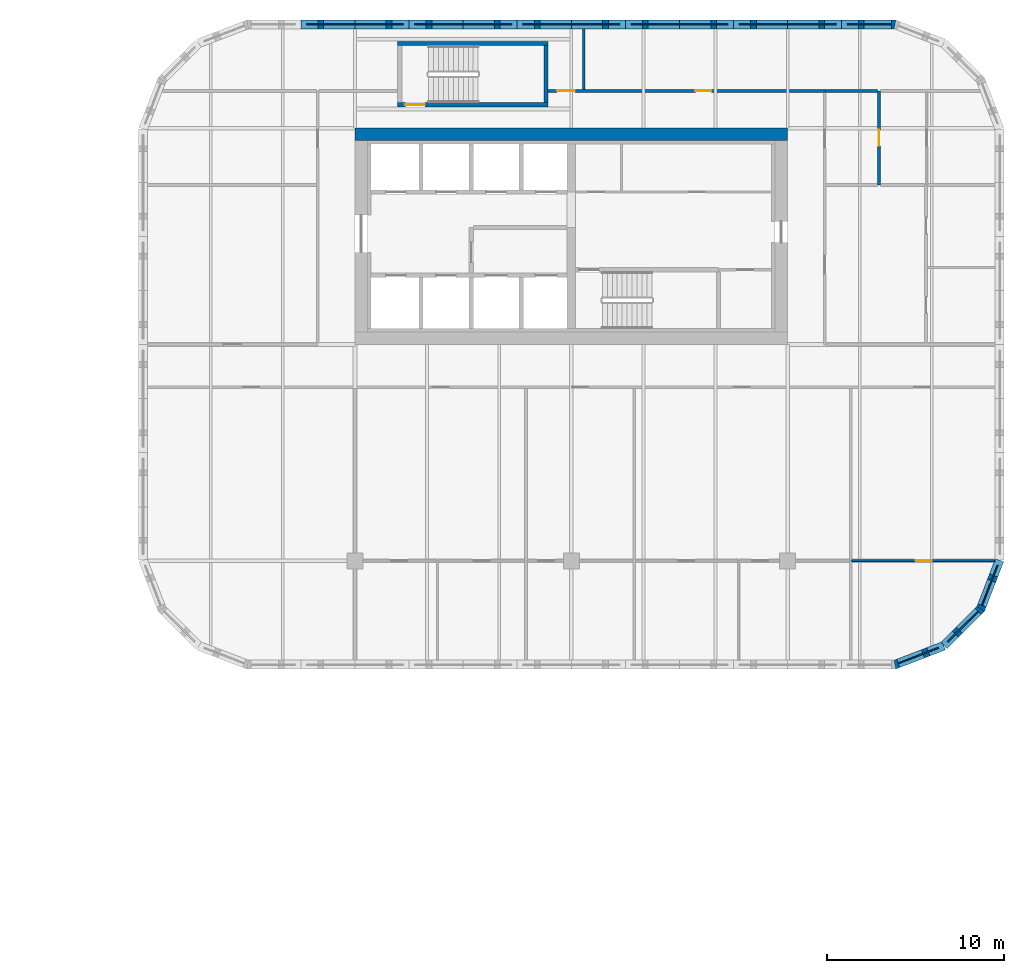
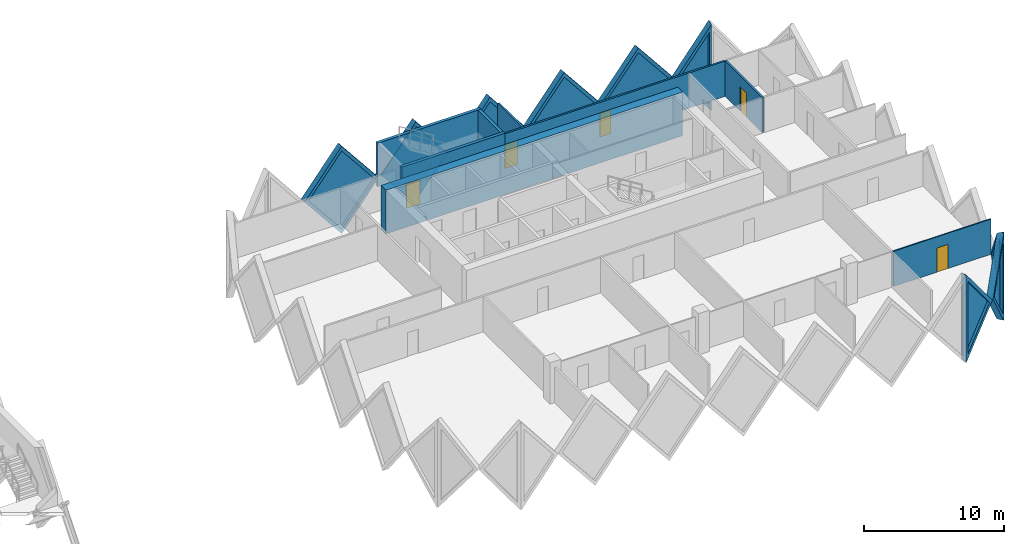
# One storey, part 14 of 18: 18 walls, 9 plates, 5 doors, 14 openings.
"""IFC4 building model written with IfcOpenShell, lengths in metres."""

from ifc_helpers import new_model, si_unit, direction, frame, frame_2d, origin, place, context, subcontext, project, spatial, polyline, rectangle, outline, extrude, faceted_brep, source, transform, mapped, material, layer, layer_set, type_object, element, fill, save


model = new_model("IFC4")

# Units and contexts
model_context = context("Model", 3, precision=1e-05, world=origin(), true_north=direction((0.0, 1.0)))
body_context = subcontext(model_context, "Body", "Model", "MODEL_VIEW")
ifc_project = project(units=[si_unit("LENGTHUNIT", "METRE"), si_unit("AREAUNIT", "SQUARE_METRE"), si_unit("VOLUMEUNIT", "CUBIC_METRE"), si_unit("PLANEANGLEUNIT", "RADIAN"), si_unit("MASSUNIT", "GRAM", prefix="KILO")], contexts=[model_context])

# Site, building, storey
site_placement = place(None, origin())
site = spatial("IfcSite", under=ifc_project, at=site_placement, CompositionType="ELEMENT")
building_placement = place(site_placement, origin())
building = spatial("IfcBuilding", under=site, at=building_placement, Name="Tessera Gate Towers", CompositionType="ELEMENT")
storey_placement = place(building_placement, frame((0.0, 0.0, 56.199951171875)))
storey = spatial("IfcBuildingStorey", under=building, at=storey_placement, Name="L13", CompositionType="ELEMENT", Elevation=56.199951171875)

# Wall, opening, door
ifc_material_1 = material(Name="Concrete C40/50", Category="concrete")
ifc_layer_1 = layer(ifc_material_1, 0.25)
ifc_layer_set_1 = layer_set([ifc_layer_1], Name="CORE ENCLOSURE WALL 250")
wall_type_1 = type_object("IfcWallType", Name="CORE ENCLOSURE WALL 250", PredefinedType="SOLIDWALL", material=ifc_layer_set_1)
wall_1_placement = place(storey_placement, frame((108.5, 50.125, 0.0), z_axis=(0.0, 0.0, 1.0), x_axis=(-1.0, 0.0, 0.0)))
wall_1 = element("IfcWall", 1, at=wall_1_placement, inside=storey, type_object=wall_type_1, Name="L13 ST7 enclosure wall", PredefinedType="SOLIDWALL", context=body_context, shape_type="SweptSolid", body=[
    extrude(rectangle(XDim=8.5, YDim=0.25, at=frame_2d((4.25, 0.0))), origin(), (0.0, 0.0, 1.0), 3.800048828125),
])
shared_shape_1 = source(origin(), body_context, "Body", "SweptSolid", [
    extrude(rectangle(XDim=1.10009765625, YDim=2.10009765625, at=frame_2d((0.550048828125, 1.050048828125))), frame((0.0, 0.135009765625, 0.0), z_axis=(0.0, -1.0, 0.0), x_axis=(1.0, 0.0, 0.0)), (0.0, 0.0, 1.0), 0.27001953125),
])
opening_1_placement = place(wall_1_placement, frame((6.949951171875, 0.0, 0.0)))
opening_1 = element("IfcOpeningElement", 2, at=opening_1_placement, cuts=wall_1, Name="Opening SD-ST7-1", PredefinedType="OPENING", context=body_context, shape_type="MappedRepresentation", body=[
    mapped(shared_shape_1, transform((0.0, 0.0, 0.0), scale=1.0)),
])
ifc_material_2 = material(Name="Hollow steel fire door", Category="steel")
door_type_1 = type_object("IfcDoorType", Name="CORE DOOR SD1100 1100x2100", OperationType="NOTDEFINED", PredefinedType="DOOR", material=ifc_material_2)
shared_shape_2 = source(origin(), body_context, "Body", "SweptSolid", [
    extrude(rectangle(XDim=1.10009765625, YDim=2.10009765625, at=frame_2d((0.550048828125, 1.050048828125))), frame((0.0, 0.02490234375, 0.0), z_axis=(0.0, -1.0, 0.0), x_axis=(1.0, 0.0, 0.0)), (0.0, 0.0, 1.0), 0.050048828125),
])
door_1_placement = place(opening_1_placement, origin())
door_1 = element("IfcDoor", 3, at=door_1_placement, inside=storey, type_object=door_type_1, Name="Stair door", OperationType="SINGLE_SWING_RIGHT", OverallHeight=2.10009765625, OverallWidth=1.10009765625, PredefinedType="DOOR", context=body_context, shape_type="MappedRepresentation", body=[
    mapped(shared_shape_2, transform((0.0, 0.0, 0.0), scale=1.0)),
])
fill(opening_1, door_1)

# Walls
wall_2_placement = place(storey_placement, frame((100.0, 53.574951171875, 0.0), z_axis=(0.0, 0.0, 1.0), x_axis=(1.0, 0.0, 0.0)))
element("IfcWall", 4, at=wall_2_placement, inside=storey, type_object=wall_type_1, Name="L13 ST7 enclosure wall", PredefinedType="SOLIDWALL", context=body_context, shape_type="SweptSolid", body=[
    extrude(rectangle(XDim=8.5, YDim=0.25, at=frame_2d((4.25, 0.0))), origin(), (0.0, 0.0, 1.0), 3.800048828125),
])
wall_3_placement = place(storey_placement, frame((108.375, 53.449951171875, 0.0), z_axis=(0.0, 0.0, 1.0), x_axis=(0.0, -1.0, 0.0)))
element("IfcWall", 5, at=wall_3_placement, inside=storey, type_object=wall_type_1, Name="L13 ST7 enclosure wall", PredefinedType="SOLIDWALL", context=body_context, shape_type="SweptSolid", body=[
    extrude(rectangle(XDim=3.199951171875, YDim=0.25, at=frame_2d((1.60009765625, 0.0))), origin(), (0.0, 0.0, 1.0), 3.800048828125),
])
ifc_material_3 = material(Name="Concrete C60/75", Category="concrete")
ifc_layer_2 = layer(ifc_material_3, 0.699951171875)
ifc_layer_set_2 = layer_set([ifc_layer_2], Name="CORE SHEAR WALL 700 C60/75")
wall_type_2 = type_object("IfcWallType", Name="CORE SHEAR WALL 700 C60/75", PredefinedType="SHEAR", material=ifc_layer_set_2)
wall_4_placement = place(storey_placement, frame((97.60009765625, 48.449951171875, 0.0), z_axis=(0.0, 0.0, 1.0), x_axis=(1.0, 0.0, 0.0)))
element("IfcWall", 6, at=wall_4_placement, inside=storey, type_object=wall_type_2, Name="Core wall N L13", PredefinedType="SHEAR", context=body_context, shape_type="SweptSolid", body=[
    extrude(rectangle(XDim=24.39990234375, YDim=0.699951171875, at=frame_2d((12.199951171875, 0.0))), origin(), (0.0, 0.0, 1.0), 3.800048828125),
])

# Wall, openings, doors
ifc_material_4 = material(Name="Gypsum board on steel studs, mineral wool", Category="steel")
ifc_layer_3 = layer(ifc_material_4, 0.14990234375)
ifc_layer_set_3 = layer_set([ifc_layer_3], Name="CORRIDOR WALL 150")
wall_type_3 = type_object("IfcWallType", Name="CORRIDOR WALL 150", PredefinedType="PARTITIONING", material=ifc_layer_set_3)
wall_5_placement = place(storey_placement, frame((108.5, 50.89990234375, 0.0), z_axis=(0.0, 0.0, 1.0), x_axis=(1.0, 0.0, 0.0)))
wall_5 = element("IfcWall", 7, at=wall_5_placement, inside=storey, type_object=wall_type_3, Name="T2-L13-PW-032", PredefinedType="PARTITIONING", context=body_context, shape_type="SweptSolid", body=[
    extrude(rectangle(XDim=15.60009765625, YDim=0.14990234375, at=frame_2d((7.800048828125, 0.0))), origin(), (0.0, 0.0, 1.0), 3.067138671875),
])
shared_shape_3 = source(origin(), body_context, "Body", "SweptSolid", [
    extrude(rectangle(XDim=1.0, YDim=2.10009765625, at=frame_2d((0.5, 1.050048828125))), frame((0.0, 0.0849609375, 0.0), z_axis=(0.0, -1.0, 0.0), x_axis=(1.0, 0.0, 0.0)), (0.0, 0.0, 1.0), 0.169921875),
])
opening_2_placement = place(wall_5_placement, frame((0.5, 0.0, 0.0)))
opening_2 = element("IfcOpeningElement", 8, at=opening_2_placement, cuts=wall_5, Name="Opening D2100FD60-B06-03", PredefinedType="OPENING", context=body_context, shape_type="MappedRepresentation", body=[
    mapped(shared_shape_3, transform((0.0, 0.0, 0.0), scale=1.0)),
])
shared_shape_4 = source(origin(), body_context, "Body", "SweptSolid", [
    extrude(rectangle(XDim=0.89990234375, YDim=2.10009765625, at=frame_2d((0.449951171875, 1.050048828125))), frame((0.0, 0.0849609375, 0.0), z_axis=(0.0, -1.0, 0.0), x_axis=(1.0, 0.0, 0.0)), (0.0, 0.0, 1.0), 0.169921875),
])
opening_3_placement = place(wall_5_placement, frame((8.300048828125, 0.0, 0.0)))
opening_3 = element("IfcOpeningElement", 9, at=opening_3_placement, cuts=wall_5, Name="Opening D890FD60-B06-06", PredefinedType="OPENING", context=body_context, shape_type="MappedRepresentation", body=[
    mapped(shared_shape_4, transform((0.0, 0.0, 0.0), scale=1.0)),
])
ifc_material_5 = material(Name="Timber door leaf in steel frame", Category="steel")
door_type_2 = type_object("IfcDoorType", Name="CORRIDOR DOOR 900 FD60", OperationType="NOTDEFINED", PredefinedType="DOOR", material=ifc_material_5)
shared_shape_5 = source(origin(), body_context, "Body", "SweptSolid", [
    extrude(rectangle(XDim=0.89990234375, YDim=2.10009765625, at=frame_2d((0.449951171875, 1.050048828125))), frame((0.0, 0.02490234375, 0.0), z_axis=(0.0, -1.0, 0.0), x_axis=(1.0, 0.0, 0.0)), (0.0, 0.0, 1.0), 0.050048828125),
])
door_2_placement = place(opening_3_placement, origin())
door_2 = element("IfcDoor", 10, at=door_2_placement, inside=storey, type_object=door_type_2, Name="T2-L13-PD-019", OperationType="SINGLE_SWING_LEFT", OverallHeight=2.10009765625, OverallWidth=0.89990234375, PredefinedType="DOOR", context=body_context, shape_type="MappedRepresentation", body=[
    mapped(shared_shape_5, transform((0.0, 0.0, 0.0), scale=1.0)),
])
fill(opening_3, door_2)
ifc_material_6 = material(Name="Timber door leaf in steel frame", Category="steel")
door_type_3 = type_object("IfcDoorType", Name="TENANCY ENTRANCE DOOR 1000 FD60", OperationType="NOTDEFINED", PredefinedType="DOOR", material=ifc_material_6)
shared_shape_6 = source(origin(), body_context, "Body", "SweptSolid", [
    extrude(rectangle(XDim=1.0, YDim=2.10009765625, at=frame_2d((0.5, 1.050048828125))), frame((0.0, 0.02490234375, 0.0), z_axis=(0.0, -1.0, 0.0), x_axis=(1.0, 0.0, 0.0)), (0.0, 0.0, 1.0), 0.050048828125),
])
door_3_placement = place(opening_2_placement, origin())
door_3 = element("IfcDoor", 11, at=door_3_placement, inside=storey, type_object=door_type_3, Name="T2-L13-PD-013", OperationType="SINGLE_SWING_RIGHT", OverallHeight=2.10009765625, OverallWidth=1.0, PredefinedType="DOOR", context=body_context, shape_type="MappedRepresentation", body=[
    mapped(shared_shape_6, transform((0.0, 0.0, 0.0), scale=1.0)),
])
fill(opening_2, door_3)

# Wall, opening, door
ifc_material_7 = material(Name="Glass", Category="glass")
ifc_layer_4 = layer(ifc_material_7, 0.10009765625)
ifc_layer_set_4 = layer_set([ifc_layer_4], Name="GLAZED PARTITION 100")
wall_type_4 = type_object("IfcWallType", Name="GLAZED PARTITION 100", PredefinedType="PARTITIONING", material=ifc_layer_set_4)
wall_6_placement = place(storey_placement, frame((133.669921875, 24.4150390625, 0.0), z_axis=(0.0, 0.0, 1.0), x_axis=(-1.0, 0.0, 0.0)))
wall_6 = element("IfcWall", 12, at=wall_6_placement, inside=storey, type_object=wall_type_4, Name="T2-L13-PW-015", PredefinedType="PARTITIONING", context=body_context, shape_type="SweptSolid", body=[
    extrude(rectangle(XDim=8.0439453125, YDim=0.10009765625, at=frame_2d((4.02197265625, 0.0))), origin(), (0.0, 0.0, 1.0), 3.067138671875),
])
shared_shape_7 = source(origin(), body_context, "Body", "SweptSolid", [
    extrude(rectangle(XDim=0.89990234375, YDim=2.10009765625, at=frame_2d((0.449951171875, 1.050048828125))), frame((0.0, 0.06005859375, 0.0), z_axis=(0.0, -1.0, 0.0), x_axis=(1.0, 0.0, 0.0)), (0.0, 0.0, 1.0), 0.1201171875),
])
opening_4_placement = place(wall_6_placement, frame((3.5439453125, 0.0, 0.0)))
opening_4 = element("IfcOpeningElement", 13, at=opening_4_placement, cuts=wall_6, Name="Opening D690-B06-06", PredefinedType="OPENING", context=body_context, shape_type="MappedRepresentation", body=[
    mapped(shared_shape_7, transform((0.0, 0.0, 0.0), scale=1.0)),
])
ifc_material_8 = material(Name="Glass in aluminium frame", Category="aluminium")
door_type_4 = type_object("IfcDoorType", Name="GLAZED DOOR 900 NOT RATED", OperationType="NOTDEFINED", PredefinedType="DOOR", material=ifc_material_8)
door_4_placement = place(opening_4_placement, origin())
door_4 = element("IfcDoor", 14, at=door_4_placement, inside=storey, type_object=door_type_4, Name="T2-L13-PD-014", OperationType="SINGLE_SWING_RIGHT", OverallHeight=2.10009765625, OverallWidth=0.89990234375, PredefinedType="DOOR", context=body_context, shape_type="MappedRepresentation", body=[
    mapped(shared_shape_5, transform((0.0, 0.0, 0.0), scale=1.0)),
])
fill(opening_4, door_4)

ifc_material_9 = material(Name="Gypsum board on steel studs, mineral wool", Category="steel")
ifc_layer_5 = layer(ifc_material_9, 0.14990234375)
ifc_layer_set_5 = layer_set([ifc_layer_5], Name="TENANCY WALL 150")
wall_type_5 = type_object("IfcWallType", Name="TENANCY WALL 150", PredefinedType="PARTITIONING", material=ifc_layer_set_5)
wall_7_placement = place(storey_placement, frame((127.14990234375, 50.89990234375, 0.0), z_axis=(0.0, 0.0, 1.0), x_axis=(0.0, -1.0, 0.0)))
wall_7 = element("IfcWall", 15, at=wall_7_placement, inside=storey, type_object=wall_type_5, Name="T2-L13-PW-026", PredefinedType="PARTITIONING", context=body_context, shape_type="SweptSolid", body=[
    extrude(rectangle(XDim=5.2998046875, YDim=0.14990234375, at=frame_2d((2.64990234375, 0.0))), origin(), (0.0, 0.0, 1.0), 3.067138671875),
])
opening_5_placement = place(wall_7_placement, frame((2.199951171875, 0.0, 0.0)))
opening_5 = element("IfcOpeningElement", 16, at=opening_5_placement, cuts=wall_7, Name="Opening D190-B06-04", PredefinedType="OPENING", context=body_context, shape_type="MappedRepresentation", body=[
    mapped(shared_shape_4, transform((0.0, 0.0, 0.0), scale=1.0)),
])
ifc_material_10 = material(Name="Timber door leaf in steel frame", Category="steel")
door_type_5 = type_object("IfcDoorType", Name="INTERNAL DOOR 900 NOT RATED", OperationType="NOTDEFINED", PredefinedType="DOOR", material=ifc_material_10)
door_5_placement = place(opening_5_placement, origin())
door_5 = element("IfcDoor", 17, at=door_5_placement, inside=storey, type_object=door_type_5, Name="T2-L13-PD-010", OperationType="SINGLE_SWING_RIGHT", OverallHeight=2.10009765625, OverallWidth=0.89990234375, PredefinedType="DOOR", context=body_context, shape_type="MappedRepresentation", body=[
    mapped(shared_shape_5, transform((0.0, 0.0, 0.0), scale=1.0)),
])
fill(opening_5, door_5)

# Walls
wall_8_placement = place(storey_placement, frame((124.10107421875, 50.89990234375, 0.0), z_axis=(0.0, 0.0, 1.0), x_axis=(1.0, 0.0, 0.0)))
element("IfcWall", 18, at=wall_8_placement, inside=storey, type_object=wall_type_5, Name="T2-L13-PW-033", PredefinedType="PARTITIONING", context=body_context, shape_type="SweptSolid", body=[
    extrude(rectangle(XDim=2.972900390625, YDim=0.14990234375, at=frame_2d((1.486328125, 0.0))), origin(), (0.0, 0.0, 1.0), 3.067138671875),
])
wall_9_placement = place(storey_placement, frame((110.5, 50.97607421875, 0.0), z_axis=(0.0, 0.0, 1.0), x_axis=(0.0, 1.0, 0.0)))
element("IfcWall", 19, at=wall_9_placement, inside=storey, type_object=wall_type_5, Name="T2-L13-PW-035", PredefinedType="PARTITIONING", context=body_context, shape_type="SweptSolid", body=[
    extrude(rectangle(XDim=3.423828125, YDim=0.14990234375, at=frame_2d((1.7119140625, 0.0))), origin(), (0.0, 0.0, 1.0), 3.067138671875),
])

# Wall, opening, plate
ifc_material_11 = material(Name="Precast concrete C60/75 white", Category="concrete")
ifc_layer_6 = layer(ifc_material_11, 0.5)
ifc_layer_set_6 = layer_set([ifc_layer_6], Name="TS1 tessera")
wall_type_6 = type_object("IfcWallType", Name="TS1 tessera", PredefinedType="SOLIDWALL", material=ifc_layer_set_6)
shared_shape_8 = source(origin(), body_context, "Body", "Brep", [
    faceted_brep([(3.050048828125, -0.25, 0.0), (6.099853515625, -0.25, 3.7998046875), (6.099853515625, -0.25, 3.80029296875), (3.050048828125, -0.25, 7.60009765625), (0.0, -0.25, 3.800048828125), (0.0, 0.25, 3.800048828125), (3.050048828125, 0.25, 7.60009765625), (6.099853515625, 0.25, 3.80029296875), (6.099853515625, 0.25, 3.7998046875), (3.050048828125, 0.25, 0.0)], [[[0, 1, 2, 3, 4]], [[5, 6, 7, 8, 9]], [[9, 8, 1, 0]], [[7, 6, 3, 2]], [[6, 5, 4, 3]], [[5, 9, 0, 4]], [[1, 8, 7, 2]]]),
])
wall_10_placement = place(storey_placement, frame((118.949951171875, 54.64990234375, -3.800048828125), z_axis=(0.0, 0.0, 1.0), x_axis=(-1.0, 0.0, 0.0)))
wall_10 = element("IfcWall", 20, at=wall_10_placement, inside=storey, type_object=wall_type_6, Name="Precast tessera T2 TS1-0154", PredefinedType="SOLIDWALL", context=body_context, shape_type="MappedRepresentation", body=[
    mapped(shared_shape_8, transform((0.0, 0.0, 0.0), scale=1.0)),
])
shared_shape_9 = source(origin(), body_context, "Body", "SweptSolid", [
    extrude(outline(polyline([(3.050048828125, 0.3994140625), (5.779541015625, 3.800048828125), (3.050048828125, 7.20068359375), (0.320556640625, 3.800048828125), (3.050048828125, 0.3994140625)])), frame((0.0, 0.260009765625, 0.0), z_axis=(0.0, -1.0, 0.0), x_axis=(1.0, 0.0, 0.0)), (0.0, 0.0, 1.0), 0.52001953125),
])
opening_6_placement = place(wall_10_placement, origin())
opening_6 = element("IfcOpeningElement", 21, at=opening_6_placement, cuts=wall_10, Name="Opening T2-PL2-0292", PredefinedType="OPENING", context=body_context, shape_type="MappedRepresentation", body=[
    mapped(shared_shape_9, transform((0.0, 0.0, 0.0), scale=1.0)),
])
ifc_material_12 = material(Name="Low-e laminated glass", Category="glass")
ifc_layer_7 = layer(ifc_material_12, 0.06005859375)
ifc_layer_set_7 = layer_set([ifc_layer_7], Name="PL2 rhombic pane")
plate_type = type_object("IfcPlateType", Name="PL2 rhombic pane", PredefinedType="SHEET", material=ifc_layer_set_7)
shared_shape_10 = source(origin(), body_context, "Body", "SweptSolid", [
    extrude(outline(polyline([(3.050048828125, 0.3994140625), (5.779541015625, 3.800048828125), (3.050048828125, 7.20068359375), (0.320556640625, 3.800048828125), (3.050048828125, 0.3994140625)])), frame((0.0, 0.030029296875, 0.0), z_axis=(0.0, -1.0, 0.0), x_axis=(1.0, 0.0, 0.0)), (0.0, 0.0, 1.0), 0.06005859375),
])
plate_1_placement = place(opening_6_placement, origin())
plate_1 = element("IfcPlate", 22, at=plate_1_placement, inside=storey, type_object=plate_type, Name="Glass pane T2 PL2-0292", PredefinedType="SHEET", context=body_context, shape_type="MappedRepresentation", body=[
    mapped(shared_shape_10, transform((0.0, 0.0, 0.0), scale=1.0)),
])
fill(opening_6, plate_1)

wall_11_placement = place(storey_placement, frame((100.64990234375, 54.64990234375, -3.800048828125), z_axis=(0.0, 0.0, 1.0), x_axis=(-1.0, 0.0, 0.0)))
wall_11 = element("IfcWall", 23, at=wall_11_placement, inside=storey, type_object=wall_type_6, Name="Precast tessera T2 TS1-0157", PredefinedType="SOLIDWALL", context=body_context, shape_type="MappedRepresentation", body=[
    mapped(shared_shape_8, transform((0.0, 0.0, 0.0), scale=1.0)),
])
opening_7_placement = place(wall_11_placement, origin())
opening_7 = element("IfcOpeningElement", 24, at=opening_7_placement, cuts=wall_11, Name="Opening T2-PL2-0295", PredefinedType="OPENING", context=body_context, shape_type="MappedRepresentation", body=[
    mapped(shared_shape_9, transform((0.0, 0.0, 0.0), scale=1.0)),
])
plate_2_placement = place(opening_7_placement, origin())
plate_2 = element("IfcPlate", 25, at=plate_2_placement, inside=storey, type_object=plate_type, Name="Glass pane T2 PL2-0295", PredefinedType="SHEET", context=body_context, shape_type="MappedRepresentation", body=[
    mapped(shared_shape_10, transform((0.0, 0.0, 0.0), scale=1.0)),
])
fill(opening_7, plate_2)

shared_shape_11 = source(origin(), body_context, "Body", "SweptSolid", [
    extrude(outline(polyline([(3.050048828125, 0.0), (6.10009765625, 3.800048828125), (3.050048828125, 7.60009765625), (0.0, 3.800048828125), (3.050048828125, 0.0)])), frame((0.0, 0.25, 0.0), z_axis=(0.0, -1.0, 0.0), x_axis=(1.0, 0.0, 0.0)), (0.0, 0.0, 1.0), 0.5),
])
wall_12_placement = place(storey_placement, frame((125.050048828125, 54.64990234375, -3.800048828125), z_axis=(0.0, 0.0, 1.0), x_axis=(-1.0, 0.0, 0.0)))
wall_12 = element("IfcWall", 26, at=wall_12_placement, inside=storey, type_object=wall_type_6, Name="Precast tessera T2 TS1-0153", PredefinedType="SOLIDWALL", context=body_context, shape_type="MappedRepresentation", body=[
    mapped(shared_shape_11, transform((0.0, 0.0, 0.0), scale=1.0)),
])
opening_8_placement = place(wall_12_placement, origin())
opening_8 = element("IfcOpeningElement", 27, at=opening_8_placement, cuts=wall_12, Name="Opening T2-PL2-0291", PredefinedType="OPENING", context=body_context, shape_type="MappedRepresentation", body=[
    mapped(shared_shape_9, transform((0.0, 0.0, 0.0), scale=1.0)),
])
plate_3_placement = place(opening_8_placement, origin())
plate_3 = element("IfcPlate", 28, at=plate_3_placement, inside=storey, type_object=plate_type, Name="Glass pane T2 PL2-0291", PredefinedType="SHEET", context=body_context, shape_type="MappedRepresentation", body=[
    mapped(shared_shape_10, transform((0.0, 0.0, 0.0), scale=1.0)),
])
fill(opening_8, plate_3)

wall_13_placement = place(storey_placement, frame((112.85009765625, 54.64990234375, -3.800048828125), z_axis=(0.0, 0.0, 1.0), x_axis=(-1.0, 0.0, 0.0)))
wall_13 = element("IfcWall", 29, at=wall_13_placement, inside=storey, type_object=wall_type_6, Name="Precast tessera T2 TS1-0155", PredefinedType="SOLIDWALL", context=body_context, shape_type="MappedRepresentation", body=[
    mapped(shared_shape_11, transform((0.0, 0.0, 0.0), scale=1.0)),
])
opening_9_placement = place(wall_13_placement, origin())
opening_9 = element("IfcOpeningElement", 30, at=opening_9_placement, cuts=wall_13, Name="Opening T2-PL2-0293", PredefinedType="OPENING", context=body_context, shape_type="MappedRepresentation", body=[
    mapped(shared_shape_9, transform((0.0, 0.0, 0.0), scale=1.0)),
])
plate_4_placement = place(opening_9_placement, origin())
plate_4 = element("IfcPlate", 31, at=plate_4_placement, inside=storey, type_object=plate_type, Name="Glass pane T2 PL2-0293", PredefinedType="SHEET", context=body_context, shape_type="MappedRepresentation", body=[
    mapped(shared_shape_10, transform((0.0, 0.0, 0.0), scale=1.0)),
])
fill(opening_9, plate_4)

wall_14_placement = place(storey_placement, frame((106.75, 54.64990234375, -3.800048828125), z_axis=(0.0, 0.0, 1.0), x_axis=(-1.0, 0.0, 0.0)))
wall_14 = element("IfcWall", 32, at=wall_14_placement, inside=storey, type_object=wall_type_6, Name="Precast tessera T2 TS1-0156", PredefinedType="SOLIDWALL", context=body_context, shape_type="MappedRepresentation", body=[
    mapped(shared_shape_11, transform((0.0, 0.0, 0.0), scale=1.0)),
])
opening_10_placement = place(wall_14_placement, origin())
opening_10 = element("IfcOpeningElement", 33, at=opening_10_placement, cuts=wall_14, Name="Opening T2-PL2-0294", PredefinedType="OPENING", context=body_context, shape_type="MappedRepresentation", body=[
    mapped(shared_shape_9, transform((0.0, 0.0, 0.0), scale=1.0)),
])
plate_5_placement = place(opening_10_placement, origin())
plate_5 = element("IfcPlate", 34, at=plate_5_placement, inside=storey, type_object=plate_type, Name="Glass pane T2 PL2-0294", PredefinedType="SHEET", context=body_context, shape_type="MappedRepresentation", body=[
    mapped(shared_shape_10, transform((0.0, 0.0, 0.0), scale=1.0)),
])
fill(opening_10, plate_5)

ifc_material_13 = material(Name="Precast concrete C60/75 white", Category="concrete")
ifc_layer_8 = layer(ifc_material_13, 0.5)
ifc_layer_set_8 = layer_set([ifc_layer_8], Name="TS3 corner tessera")
wall_type_7 = type_object("IfcWallType", Name="TS3 corner tessera", PredefinedType="SOLIDWALL", material=ifc_layer_set_8)
shared_shape_12 = source(origin(), body_context, "Body", "Brep", [
    faceted_brep([(0.046630859375, -0.25, 0.0), (3.050048828125, -0.25, 3.800048828125), (0.046630859375, -0.25, 7.60009765625), (0.0, -0.25, 7.5400390625), (0.0, -0.25, 0.06005859375), (0.09326171875, 0.25, 7.541259765625), (3.050048828125, 0.25, 3.800048828125), (0.09326171875, 0.25, 0.058837890625), (0.046630859375, 0.0, 0.0), (0.046630859375, 0.0, 7.60009765625)], [[[0, 1, 2, 3, 4]], [[5, 6, 7]], [[7, 6, 1, 0, 8]], [[6, 5, 9, 2, 1]], [[3, 2, 9]], [[8, 0, 4]], [[7, 8, 4, 3, 9, 5]]]),
])
wall_15_placement = place(storey_placement, frame((128.10009765625, 54.64990234375, -3.800048828125), z_axis=(0.0, 0.0, 1.0), x_axis=(-1.0, 0.0, 0.0)))
wall_15 = element("IfcWall", 35, at=wall_15_placement, inside=storey, type_object=wall_type_7, Name="Precast corner tessera T2 TS3-0186", PredefinedType="SOLIDWALL", context=body_context, shape_type="MappedRepresentation", body=[
    mapped(shared_shape_12, transform((0.0, 0.0, 0.0), scale=1.0)),
])
shared_shape_13 = source(origin(), body_context, "Body", "SweptSolid", [
    extrude(outline(polyline([(0.24658203125, 0.65625), (2.7314453125, 3.800048828125), (0.24658203125, 6.94384765625), (0.24658203125, 0.65625)])), frame((0.0, 0.260009765625, 0.0), z_axis=(0.0, -1.0, 0.0), x_axis=(1.0, 0.0, 0.0)), (0.0, 0.0, 1.0), 0.52001953125),
])
opening_11_placement = place(wall_15_placement, origin())
opening_11 = element("IfcOpeningElement", 36, at=opening_11_placement, cuts=wall_15, Name="Opening T2-PL2-0290", PredefinedType="OPENING", context=body_context, shape_type="MappedRepresentation", body=[
    mapped(shared_shape_13, transform((0.0, 0.0, 0.0), scale=1.0)),
])
shared_shape_14 = source(origin(), body_context, "Body", "SweptSolid", [
    extrude(outline(polyline([(0.24658203125, 0.65625), (2.7314453125, 3.800048828125), (0.24658203125, 6.94384765625), (0.24658203125, 0.65625)])), frame((0.0, 0.030029296875, 0.0), z_axis=(0.0, -1.0, 0.0), x_axis=(1.0, 0.0, 0.0)), (0.0, 0.0, 1.0), 0.06005859375),
])
plate_6_placement = place(opening_11_placement, origin())
plate_6 = element("IfcPlate", 37, at=plate_6_placement, inside=storey, type_object=plate_type, Name="Glass pane T2 PL2-0290", PredefinedType="SHEET", context=body_context, shape_type="MappedRepresentation", body=[
    mapped(shared_shape_14, transform((0.0, 0.0, 0.0), scale=1.0)),
])
fill(opening_11, plate_6)

shared_shape_15 = source(origin(), body_context, "Body", "Brep", [
    faceted_brep([(0.046630859375, -0.25, 0.0), (2.9970703125, -0.25, 3.800048828125), (0.046630859375, -0.25, 7.60009765625), (0.0, -0.25, 7.541259765625), (0.0, -0.25, 0.058837890625), (0.09326171875, 0.25, 7.5400390625), (2.9443359375, 0.25, 3.8681640625), (2.9443359375, 0.25, 3.73193359375), (0.09326171875, 0.25, 0.06005859375), (2.9970703125, 0.00048828125, 3.800048828125), (0.046630859375, 0.0, 0.0), (0.046630859375, 0.0, 7.60009765625)], [[[0, 1, 2, 3, 4]], [[5, 6, 7, 8]], [[8, 7, 9, 1, 0, 10]], [[6, 5, 11, 2, 1, 9]], [[3, 2, 11]], [[10, 0, 4]], [[8, 10, 4, 3, 11, 5]], [[9, 7, 6]]]),
])
wall_16_placement = place(storey_placement, frame((128.010009765625, 18.533203125, -3.800048828125), z_axis=(0.0, 0.0, 1.0), x_axis=(0.932990326376, 0.359901446078, 0.0)))
wall_16 = element("IfcWall", 38, at=wall_16_placement, inside=storey, type_object=wall_type_7, Name="Precast corner tessera T2 TS3-0180", PredefinedType="SOLIDWALL", context=body_context, shape_type="MappedRepresentation", body=[
    mapped(shared_shape_15, transform((0.0, 0.0, 0.0), scale=1.0)),
])
shared_shape_16 = source(origin(), body_context, "Body", "SweptSolid", [
    extrude(outline(polyline([(0.24658203125, 0.665283203125), (2.6806640625, 3.800048828125), (0.24658203125, 6.934814453125), (0.24658203125, 0.665283203125)])), frame((0.0, 0.260009765625, 0.0), z_axis=(0.0, -1.0, 0.0), x_axis=(1.0, 0.0, 0.0)), (0.0, 0.0, 1.0), 0.52001953125),
])
opening_12_placement = place(wall_16_placement, origin())
opening_12 = element("IfcOpeningElement", 39, at=opening_12_placement, cuts=wall_16, Name="Opening T2-PL2-0280", PredefinedType="OPENING", context=body_context, shape_type="MappedRepresentation", body=[
    mapped(shared_shape_16, transform((0.0, 0.0, 0.0), scale=1.0)),
])
shared_shape_17 = source(origin(), body_context, "Body", "SweptSolid", [
    extrude(outline(polyline([(0.24658203125, 0.665283203125), (2.6806640625, 3.800048828125), (0.24658203125, 6.934814453125), (0.24658203125, 0.665283203125)])), frame((0.0, 0.030029296875, 0.0), z_axis=(0.0, -1.0, 0.0), x_axis=(1.0, 0.0, 0.0)), (0.0, 0.0, 1.0), 0.06005859375),
])
plate_7_placement = place(opening_12_placement, origin())
plate_7 = element("IfcPlate", 40, at=plate_7_placement, inside=storey, type_object=plate_type, Name="Glass pane T2 PL2-0280", PredefinedType="SHEET", context=body_context, shape_type="MappedRepresentation", body=[
    mapped(shared_shape_17, transform((0.0, 0.0, 0.0), scale=1.0)),
])
fill(opening_12, plate_7)

shared_shape_18 = source(origin(), body_context, "Body", "Brep", [
    faceted_brep([(0.052978515625, -0.25, 0.0), (3.00341796875, -0.25, 3.800048828125), (0.052978515625, -0.25, 7.60009765625), (0.0, -0.25, 7.53173828125), (0.0, -0.25, 0.068359375), (0.10595703125, 0.25, 7.531982421875), (2.95703125, 0.25, 3.85986328125), (2.95703125, 0.25, 3.740234375), (0.10595703125, 0.25, 0.068115234375), (3.00341796875, 0.00048828125, 3.800048828125), (0.052978515625, 0.0, 0.0), (0.052978515625, 0.0, 7.60009765625)], [[[0, 1, 2, 3, 4]], [[5, 6, 7, 8]], [[8, 7, 9, 1, 0, 10]], [[6, 5, 11, 2, 1, 9]], [[3, 2, 11]], [[10, 0, 4]], [[8, 10, 4, 3, 11, 5]], [[9, 7, 6]]]),
])
wall_17_placement = place(storey_placement, frame((132.869140625, 21.644287109375, -3.800048828125), z_axis=(0.0, 0.0, 1.0), x_axis=(0.359855894603, 0.933007896601, 0.0)))
wall_17 = element("IfcWall", 41, at=wall_17_placement, inside=storey, type_object=wall_type_7, Name="Precast corner tessera T2 TS3-0182", PredefinedType="SOLIDWALL", context=body_context, shape_type="MappedRepresentation", body=[
    mapped(shared_shape_18, transform((0.0, 0.0, 0.0), scale=1.0)),
])
shared_shape_19 = source(origin(), body_context, "Body", "SweptSolid", [
    extrude(outline(polyline([(0.2529296875, 0.665283203125), (2.68701171875, 3.800048828125), (0.2529296875, 6.934814453125), (0.2529296875, 0.665283203125)])), frame((0.0, 0.260009765625, 0.0), z_axis=(0.0, -1.0, 0.0), x_axis=(1.0, 0.0, 0.0)), (0.0, 0.0, 1.0), 0.52001953125),
])
opening_13_placement = place(wall_17_placement, origin())
opening_13 = element("IfcOpeningElement", 42, at=opening_13_placement, cuts=wall_17, Name="Opening T2-PL2-0282", PredefinedType="OPENING", context=body_context, shape_type="MappedRepresentation", body=[
    mapped(shared_shape_19, transform((0.0, 0.0, 0.0), scale=1.0)),
])
shared_shape_20 = source(origin(), body_context, "Body", "SweptSolid", [
    extrude(outline(polyline([(0.2529296875, 0.665283203125), (2.68701171875, 3.800048828125), (0.2529296875, 6.934814453125), (0.2529296875, 0.665283203125)])), frame((0.0, 0.030029296875, 0.0), z_axis=(0.0, -1.0, 0.0), x_axis=(1.0, 0.0, 0.0)), (0.0, 0.0, 1.0), 0.06005859375),
])
plate_8_placement = place(opening_13_placement, origin())
plate_8 = element("IfcPlate", 43, at=plate_8_placement, inside=storey, type_object=plate_type, Name="Glass pane T2 PL2-0282", PredefinedType="SHEET", context=body_context, shape_type="MappedRepresentation", body=[
    mapped(shared_shape_20, transform((0.0, 0.0, 0.0), scale=1.0)),
])
fill(opening_13, plate_8)

shared_shape_21 = source(origin(), body_context, "Body", "Brep", [
    faceted_brep([(2.944091796875, -0.25, 0.0), (2.9970703125, -0.25, 0.068115234375), (2.9970703125, -0.25, 7.531982421875), (2.944091796875, -0.25, 7.60009765625), (0.0, -0.25, 3.800048828125), (0.052978515625, 0.25, 3.868408203125), (2.89111328125, 0.25, 7.531982421875), (2.89111328125, 0.25, 0.068115234375), (0.052978515625, 0.25, 3.731689453125), (2.944091796875, 0.000244140625, 0.0), (2.944091796875, 0.000244140625, 7.60009765625), (0.0, 0.0, 3.800048828125)], [[[0, 1, 2, 3, 4]], [[5, 6, 7, 8]], [[1, 0, 9]], [[10, 3, 2]], [[6, 5, 11, 4, 3, 10]], [[8, 7, 9, 0, 4, 11]], [[8, 11, 5]], [[1, 9, 7, 6, 10, 2]]]),
])
wall_18_placement = place(storey_placement, frame((130.80615234375, 19.61181640625, -3.800048828125), z_axis=(0.0, 0.0, 1.0), x_axis=(0.707106781187, 0.707106781187, 0.0)))
wall_18 = element("IfcWall", 44, at=wall_18_placement, inside=storey, type_object=wall_type_7, Name="Precast corner tessera T2 TS3-0181", PredefinedType="SOLIDWALL", context=body_context, shape_type="MappedRepresentation", body=[
    mapped(shared_shape_21, transform((0.0, 0.0, 0.0), scale=1.0)),
])
shared_shape_22 = source(origin(), body_context, "Body", "SweptSolid", [
    extrude(outline(polyline([(2.744140625, 6.933837890625), (0.316162109375, 3.800048828125), (2.744140625, 0.66650390625), (2.744140625, 6.933837890625)])), frame((0.0, 0.260009765625, 0.0), z_axis=(0.0, -1.0, 0.0), x_axis=(1.0, 0.0, 0.0)), (0.0, 0.0, 1.0), 0.52001953125),
])
opening_14_placement = place(wall_18_placement, origin())
opening_14 = element("IfcOpeningElement", 45, at=opening_14_placement, cuts=wall_18, Name="Opening T2-PL2-0281", PredefinedType="OPENING", context=body_context, shape_type="MappedRepresentation", body=[
    mapped(shared_shape_22, transform((0.0, 0.0, 0.0), scale=1.0)),
])
shared_shape_23 = source(origin(), body_context, "Body", "SweptSolid", [
    extrude(outline(polyline([(2.744140625, 6.933837890625), (0.316162109375, 3.800048828125), (2.744140625, 0.66650390625), (2.744140625, 6.933837890625)])), frame((0.0, 0.030029296875, 0.0), z_axis=(0.0, -1.0, 0.0), x_axis=(1.0, 0.0, 0.0)), (0.0, 0.0, 1.0), 0.06005859375),
])
plate_9_placement = place(opening_14_placement, origin())
plate_9 = element("IfcPlate", 46, at=plate_9_placement, inside=storey, type_object=plate_type, Name="Glass pane T2 PL2-0281", PredefinedType="SHEET", context=body_context, shape_type="MappedRepresentation", body=[
    mapped(shared_shape_23, transform((0.0, 0.0, 0.0), scale=1.0)),
])
fill(opening_14, plate_9)

save(model, "model.ifc")
